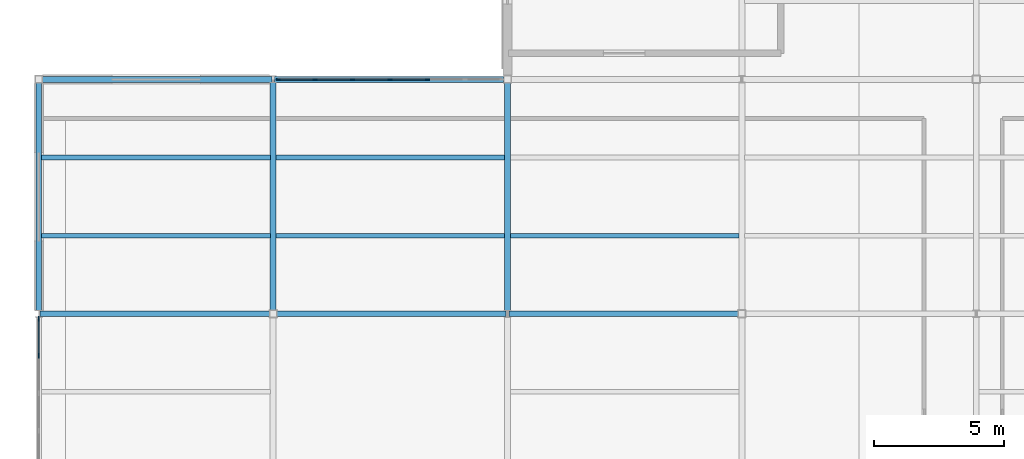
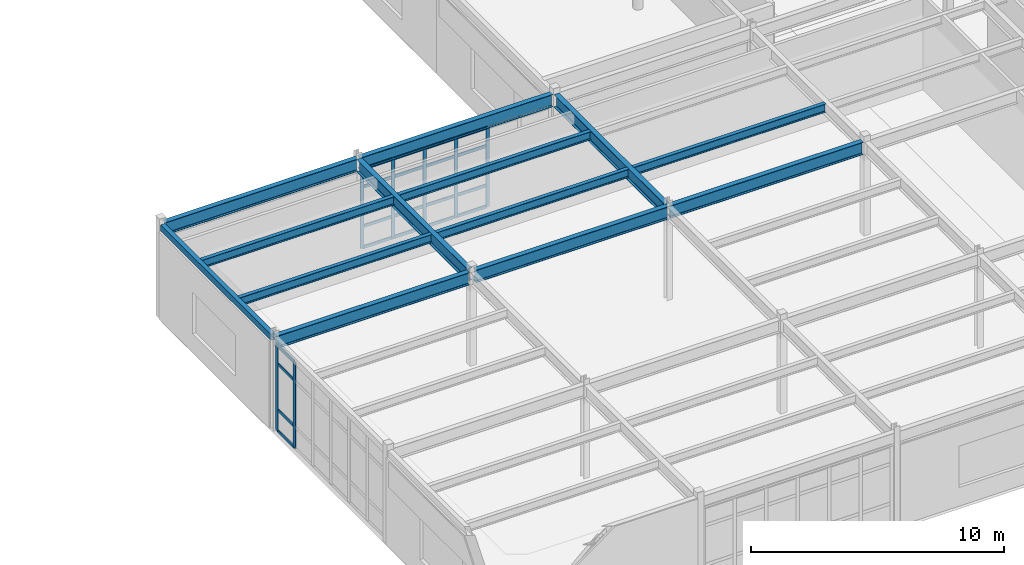
# One storey, part 24 of 84: 27 members, 13 beams, 2 elements without a shape of their own.
"""IFC4 building model written with IfcOpenShell, lengths in metres."""

from ifc_helpers import new_model, si_unit, direction, frame, origin, origin_2d, place, context, subcontext, project, spatial, rectangle, hollow_rectangle, i_section, extrude, material, material_profile, profile_set, type_object, element, aggregate, save


model = new_model("IFC4")

# Units and contexts
model_context = context("Model", 3, precision=1e-05, world=origin(), true_north=direction((0.0, 1.0)))
body_context = subcontext(model_context, "Body", "Model", "MODEL_VIEW")
ifc_project = project(units=[si_unit("LENGTHUNIT", "METRE"), si_unit("AREAUNIT", "SQUARE_METRE"), si_unit("VOLUMEUNIT", "CUBIC_METRE"), si_unit("PLANEANGLEUNIT", "RADIAN"), si_unit("MASSUNIT", "GRAM", prefix="KILO")], contexts=[model_context])

# Site, building, storey
site_placement = place(None, origin())
site = spatial("IfcSite", under=ifc_project, at=site_placement, CompositionType="ELEMENT")
building_placement = place(site_placement, origin())
building = spatial("IfcBuilding", under=site, at=building_placement, Name="Glasvene Arena", CompositionType="ELEMENT")
storey_placement = place(building_placement, frame((0.0, 0.0, 10.199951171875)))
storey = spatial("IfcBuildingStorey", under=building, at=storey_placement, Name="L02", CompositionType="ELEMENT", Elevation=10.199951171875)

# Beams
ifc_material_1 = material(Name="Steel S355J2", Category="steel")
ifc_material_profile_1 = material_profile(ifc_material_1, i_section(OverallWidth=0.228271484375, OverallDepth=0.607666015625, WebThickness=0.010986328125, FlangeThickness=0.017333984375, FilletRadius=0.0126953125, at=origin_2d()), Name="UKB 610x229x113")
ifc_profile_set_1 = profile_set([ifc_material_profile_1], Name="Steel S355J2")
beam_type_1 = type_object("IfcBeamType", Name="BM-GIRD-610", PredefinedType="BEAM", material=ifc_profile_set_1)
for number, where, z_axis, x_axis, name in (
    (1, (0.050048828125, 18.0, 4.21630859375), (1.0, 0.0, 0.0), (0.0, 1.0, 0.0), "Primary X girder L02-0791"),
    (2, (9.14501953125, 18.0, 4.21630859375), (1.0, 0.0, 0.0), (0.0, 1.0, 0.0), "Primary X girder L02-0792"),
    (3, (18.050048828125, 18.0, 4.21630859375), (1.0, 0.0, 0.0), (0.0, 1.0, 0.0), "Primary X girder L02-0793"),
    (4, (0.14501953125, 27.0, 4.21630859375), (1.0, 0.0, 0.0), (0.0, 1.0, 0.0), "Primary X girder L02-0797"),
    (5, (9.050048828125, 27.0, 4.21630859375), (1.0, 0.0, 0.0), (0.0, 1.0, 0.0), "Primary X girder L02-0798"),
):
    element("IfcBeam", number, at=place(storey_placement, frame(where, z_axis=z_axis, x_axis=x_axis)), inside=storey, type_object=beam_type_1, Name=name, PredefinedType="BEAM", context=body_context, shape_type="SweptSolid", body=[
        extrude(i_section(OverallWidth=0.228271484375, OverallDepth=0.607666015625, WebThickness=0.010986328125, FlangeThickness=0.017333984375, FilletRadius=0.0126953125, at=origin_2d()), origin(), (0.0, 0.0, 1.0), 8.804931640625),
    ])
for number, where, z_axis, x_axis, name in (
    (6, (9.0, 18.14501953125, 4.21630859375), (0.0, 1.0, 0.0), (-1.0, 0.0, 0.0), "Primary Y girder L02-0841"),
    (7, (18.0, 18.125244140625, 4.21630859375), (0.0, 1.0, 0.0), (-1.0, 0.0, 0.0), "Primary Y girder L02-0848"),
):
    element("IfcBeam", number, at=place(storey_placement, frame(where, z_axis=z_axis, x_axis=x_axis)), inside=storey, type_object=beam_type_1, Name=name, PredefinedType="BEAM", context=body_context, shape_type="SweptSolid", body=[
        extrude(i_section(OverallWidth=0.228271484375, OverallDepth=0.607666015625, WebThickness=0.010986328125, FlangeThickness=0.017333984375, FilletRadius=0.0126953125, at=origin_2d()), origin(), (0.0, 0.0, 1.0), 8.729736328125),
    ])
ifc_material_profile_2 = material_profile(ifc_material_1, i_section(OverallWidth=0.177978515625, OverallDepth=0.406494140625, WebThickness=0.0078125, FlangeThickness=0.0126953125, FilletRadius=0.01025390625, at=origin_2d()), Name="UKB 406x178x60")
ifc_profile_set_2 = profile_set([ifc_material_profile_2], Name="Steel S355J2")
beam_type_2 = type_object("IfcBeamType", Name="BM-JOIST-406", PredefinedType="JOIST", material=ifc_profile_set_2)
for number, where, z_axis, x_axis, name in (
    (8, (0.095947265625, 21.0, 4.31689453125), (1.0, 0.0, 0.0), (0.0, 1.0, 0.0), "Composite floor joist L02-0885"),
    (9, (0.095947265625, 24.0, 4.31689453125), (1.0, 0.0, 0.0), (0.0, 1.0, 0.0), "Composite floor joist L02-0886"),
):
    element("IfcBeam", number, at=place(storey_placement, frame(where, z_axis=z_axis, x_axis=x_axis)), inside=storey, type_object=beam_type_2, Name=name, PredefinedType="JOIST", context=body_context, shape_type="SweptSolid", body=[
        extrude(i_section(OverallWidth=0.177978515625, OverallDepth=0.406494140625, WebThickness=0.0078125, FlangeThickness=0.0126953125, FilletRadius=0.01025390625, at=origin_2d()), origin(), (0.0, 0.0, 1.0), 8.7939453125),
    ])
for number, where, z_axis, x_axis, name in (
    (10, (9.110107421875, 21.0, 4.31689453125), (1.0, 0.0, 0.0), (0.0, 1.0, 0.0), "Composite floor joist L02-0895"),
    (11, (9.110107421875, 24.0, 4.31689453125), (1.0, 0.0, 0.0), (0.0, 1.0, 0.0), "Composite floor joist L02-0896"),
    (12, (18.110107421875, 21.0, 4.31689453125), (1.0, 0.0, 0.0), (0.0, 1.0, 0.0), "Composite floor joist L02-0905"),
):
    element("IfcBeam", number, at=place(storey_placement, frame(where, z_axis=z_axis, x_axis=x_axis)), inside=storey, type_object=beam_type_2, Name=name, PredefinedType="JOIST", context=body_context, shape_type="SweptSolid", body=[
        extrude(i_section(OverallWidth=0.177978515625, OverallDepth=0.406494140625, WebThickness=0.0078125, FlangeThickness=0.0126953125, FilletRadius=0.01025390625, at=origin_2d()), origin(), (0.0, 0.0, 1.0), 8.77978515625),
    ])
ifc_material_profile_3 = material_profile(ifc_material_1, hollow_rectangle(XDim=0.199951171875, YDim=0.300048828125, WallThickness=0.012451171875, at=origin_2d()), Name="RHS 300x200x12.5")
ifc_profile_set_3 = profile_set([ifc_material_profile_3], Name="Steel S355J2")
beam_type_3 = type_object("IfcBeamType", Name="BM-SPAND-300", PredefinedType="SPANDREL", material=ifc_profile_set_3)
beam_placement = place(storey_placement, frame((0.0, 18.125244140625, 4.3701171875), z_axis=(0.0, 1.0, 0.0), x_axis=(-1.0, 0.0, 0.0)))
element("IfcBeam", 13, at=beam_placement, inside=storey, type_object=beam_type_3, Name="Primary Y girder L02-0831", PredefinedType="SPANDREL", context=body_context, shape_type="SweptSolid", body=[
    extrude(hollow_rectangle(XDim=0.199951171875, YDim=0.300048828125, WallThickness=0.012451171875, at=origin_2d()), origin(), (0.0, 0.0, 1.0), 8.729736328125),
])

# Curtain wall, members
ifc_material_2 = material(Name="Low-emissivity laminated double glazing", Category="glass")
curtain_wall_type_1 = type_object("IfcCurtainWallType", Name="CW-FAC-L02-864x385", PredefinedType="USERDEFINED", material=ifc_material_2)
curtain_wall_1_placement = place(storey_placement, frame((9.170166015625, 27.0, 0.0)))
curtain_wall_1 = element("IfcCurtainWall", 14, at=curtain_wall_1_placement, inside=storey, type_object=curtain_wall_type_1, Name="Unitised curtain wall CW-F-L02-150-135-270-79", ObjectType="CURTAIN WALL", PredefinedType="USERDEFINED")
ifc_material_3 = material(Name="Anodised architectural aluminium", Category="aluminium")
ifc_material_profile_4 = material_profile(ifc_material_3, rectangle(XDim=0.050048828125, YDim=0.159912109375, at=origin_2d()), Name="ALU MULLION 50x160")
ifc_profile_set_4 = profile_set([ifc_material_profile_4], Name="Anodised architectural aluminium")
member_type_1 = type_object("IfcMemberType", Name="CW-MUL-150", PredefinedType="MULLION", material=ifc_profile_set_4)
member_1_placement = place(storey_placement, frame((9.1953125, 27.0, 0.06005859375), z_axis=(0.0, 0.0, 1.0), x_axis=(0.0, 1.0, 0.0)))
member_1 = element("IfcMember", 15, at=member_1_placement, type_object=member_type_1, Name="CW-030 mullion 1", PredefinedType="MULLION", context=body_context, shape_type="SweptSolid", body=[
    extrude(rectangle(XDim=0.050048828125, YDim=0.159912109375, at=origin_2d()), origin(), (0.0, 0.0, 1.0), 3.846923828125),
])
member_2_placement = place(storey_placement, frame((10.60986328125, 27.0, 0.06005859375), z_axis=(0.0, 0.0, 1.0), x_axis=(0.0, 1.0, 0.0)))
member_2 = element("IfcMember", 16, at=member_2_placement, type_object=member_type_1, Name="CW-030 mullion 2", PredefinedType="MULLION", context=body_context, shape_type="SweptSolid", body=[
    extrude(rectangle(XDim=0.050048828125, YDim=0.159912109375, at=origin_2d()), origin(), (0.0, 0.0, 1.0), 3.846923828125),
])
member_3_placement = place(storey_placement, frame((12.049560546875, 27.0, 0.06005859375), z_axis=(0.0, 0.0, 1.0), x_axis=(0.0, 1.0, 0.0)))
member_3 = element("IfcMember", 17, at=member_3_placement, type_object=member_type_1, Name="CW-030 mullion 3", PredefinedType="MULLION", context=body_context, shape_type="SweptSolid", body=[
    extrude(rectangle(XDim=0.050048828125, YDim=0.159912109375, at=origin_2d()), origin(), (0.0, 0.0, 1.0), 3.846923828125),
])
member_4_placement = place(storey_placement, frame((13.489013671875, 27.0, 0.06005859375), z_axis=(0.0, 0.0, 1.0), x_axis=(0.0, 1.0, 0.0)))
member_4 = element("IfcMember", 18, at=member_4_placement, type_object=member_type_1, Name="CW-030 mullion 4", PredefinedType="MULLION", context=body_context, shape_type="SweptSolid", body=[
    extrude(rectangle(XDim=0.050048828125, YDim=0.159912109375, at=origin_2d()), origin(), (0.0, 0.0, 1.0), 3.846923828125),
])
member_5_placement = place(storey_placement, frame((14.9287109375, 27.0, 0.06005859375), z_axis=(0.0, 0.0, 1.0), x_axis=(0.0, 1.0, 0.0)))
member_5 = element("IfcMember", 19, at=member_5_placement, type_object=member_type_1, Name="CW-030 mullion 5", PredefinedType="MULLION", context=body_context, shape_type="SweptSolid", body=[
    extrude(rectangle(XDim=0.050048828125, YDim=0.159912109375, at=origin_2d()), origin(), (0.0, 0.0, 1.0), 3.846923828125),
])

curtain_wall_type_2 = type_object("IfcCurtainWallType", Name="CW-FAC-L02-864x416", PredefinedType="USERDEFINED", material=ifc_material_2)
curtain_wall_2_placement = place(storey_placement, frame((0.0, 9.19189453125, 0.0)))
curtain_wall_2 = element("IfcCurtainWall", 20, at=curtain_wall_2_placement, inside=storey, type_object=curtain_wall_type_2, Name="Unitised curtain wall CW-F-L02-180-0-135-76", ObjectType="CURTAIN WALL", PredefinedType="USERDEFINED")
ifc_material_profile_5 = material_profile(ifc_material_3, rectangle(XDim=0.050048828125, YDim=0.199951171875, at=origin_2d()), Name="ALU MULLION 50x200")
ifc_profile_set_5 = profile_set([ifc_material_profile_5], Name="Anodised architectural aluminium")
member_type_2 = type_object("IfcMemberType", Name="CW-MUL-180", PredefinedType="MULLION", material=ifc_profile_set_5)
member_6_placement = place(storey_placement, frame((0.0, 16.388671875, 0.06005859375), z_axis=(0.0, 0.0, 1.0), x_axis=(-1.0, 0.0, 0.0)))
member_6 = element("IfcMember", 21, at=member_6_placement, type_object=member_type_2, Name="CW-029 mullion 6", PredefinedType="MULLION", context=body_context, shape_type="SweptSolid", body=[
    extrude(rectangle(XDim=0.050048828125, YDim=0.199951171875, at=origin_2d()), origin(), (0.0, 0.0, 1.0), 4.155029296875),
])
member_7_placement = place(storey_placement, frame((0.0, 17.802978515625, 0.06005859375), z_axis=(0.0, 0.0, 1.0), x_axis=(-1.0, 0.0, 0.0)))
member_7 = element("IfcMember", 22, at=member_7_placement, type_object=member_type_2, Name="CW-029 mullion 7", PredefinedType="MULLION", context=body_context, shape_type="SweptSolid", body=[
    extrude(rectangle(XDim=0.050048828125, YDim=0.199951171875, at=origin_2d()), origin(), (0.0, 0.0, 1.0), 4.155029296875),
])
ifc_material_profile_6 = material_profile(ifc_material_3, rectangle(XDim=0.050048828125, YDim=0.14990234375, at=origin_2d()), Name="ALU TRANSOM 50x150")
ifc_profile_set_6 = profile_set([ifc_material_profile_6], Name="Anodised architectural aluminium")
member_type_3 = type_object("IfcMemberType", Name="CW-TRN-150", PredefinedType="USERDEFINED", material=ifc_profile_set_6)
member_8_placement = place(storey_placement, frame((0.0, 16.41357421875, 0.0849609375), z_axis=(0.0, 1.0, 0.0), x_axis=(-1.0, 0.0, 0.0)))
member_8 = element("IfcMember", 23, at=member_8_placement, type_object=member_type_3, Name="CW-029 transom 6.1", ObjectType="TRANSOM", PredefinedType="USERDEFINED", context=body_context, shape_type="SweptSolid", body=[
    extrude(rectangle(XDim=0.050048828125, YDim=0.14990234375, at=origin_2d()), origin(), (0.0, 0.0, 1.0), 1.3642578125),
])
member_9_placement = place(storey_placement, frame((0.0, 16.41357421875, 1.10009765625), z_axis=(0.0, 1.0, 0.0), x_axis=(-1.0, 0.0, 0.0)))
member_9 = element("IfcMember", 24, at=member_9_placement, type_object=member_type_3, Name="CW-029 transom 6.2", ObjectType="TRANSOM", PredefinedType="USERDEFINED", context=body_context, shape_type="SweptSolid", body=[
    extrude(rectangle(XDim=0.050048828125, YDim=0.14990234375, at=origin_2d()), origin(), (0.0, 0.0, 1.0), 1.3642578125),
])
member_10_placement = place(storey_placement, frame((0.0, 16.41357421875, 3.31494140625), z_axis=(0.0, 1.0, 0.0), x_axis=(-1.0, 0.0, 0.0)))
member_10 = element("IfcMember", 25, at=member_10_placement, type_object=member_type_3, Name="CW-029 transom 6.3", ObjectType="TRANSOM", PredefinedType="USERDEFINED", context=body_context, shape_type="SweptSolid", body=[
    extrude(rectangle(XDim=0.050048828125, YDim=0.14990234375, at=origin_2d()), origin(), (0.0, 0.0, 1.0), 1.3642578125),
])
member_11_placement = place(storey_placement, frame((0.0, 16.41357421875, 4.18994140625), z_axis=(0.0, 1.0, 0.0), x_axis=(-1.0, 0.0, 0.0)))
member_11 = element("IfcMember", 26, at=member_11_placement, type_object=member_type_3, Name="CW-029 transom 6.4", ObjectType="TRANSOM", PredefinedType="USERDEFINED", context=body_context, shape_type="SweptSolid", body=[
    extrude(rectangle(XDim=0.050048828125, YDim=0.14990234375, at=origin_2d()), origin(), (0.0, 0.0, 1.0), 1.3642578125),
])
aggregate(curtain_wall_2, [member_6, member_7, member_8, member_9, member_10, member_11])

# Member
member_12_placement = place(storey_placement, frame((9.22021484375, 27.0, 0.0849609375), z_axis=(1.0, 0.0, 0.0), x_axis=(0.0, 1.0, 0.0)))
member_12 = element("IfcMember", 27, at=member_12_placement, type_object=member_type_3, Name="CW-030 transom 1.1", ObjectType="TRANSOM", PredefinedType="USERDEFINED", context=body_context, shape_type="SweptSolid", body=[
    extrude(rectangle(XDim=0.050048828125, YDim=0.14990234375, at=origin_2d()), origin(), (0.0, 0.0, 1.0), 1.364501953125),
])

member_13_placement = place(storey_placement, frame((9.22021484375, 27.0, 1.10009765625), z_axis=(1.0, 0.0, 0.0), x_axis=(0.0, 1.0, 0.0)))
member_13 = element("IfcMember", 28, at=member_13_placement, type_object=member_type_3, Name="CW-030 transom 1.2", ObjectType="TRANSOM", PredefinedType="USERDEFINED", context=body_context, shape_type="SweptSolid", body=[
    extrude(rectangle(XDim=0.050048828125, YDim=0.14990234375, at=origin_2d()), origin(), (0.0, 0.0, 1.0), 1.364501953125),
])

member_14_placement = place(storey_placement, frame((9.22021484375, 27.0, 3.007080078125), z_axis=(1.0, 0.0, 0.0), x_axis=(0.0, 1.0, 0.0)))
member_14 = element("IfcMember", 29, at=member_14_placement, type_object=member_type_3, Name="CW-030 transom 1.3", ObjectType="TRANSOM", PredefinedType="USERDEFINED", context=body_context, shape_type="SweptSolid", body=[
    extrude(rectangle(XDim=0.050048828125, YDim=0.14990234375, at=origin_2d()), origin(), (0.0, 0.0, 1.0), 1.364501953125),
])

member_15_placement = place(storey_placement, frame((9.22021484375, 27.0, 3.882080078125), z_axis=(1.0, 0.0, 0.0), x_axis=(0.0, 1.0, 0.0)))
member_15 = element("IfcMember", 30, at=member_15_placement, type_object=member_type_3, Name="CW-030 transom 1.4", ObjectType="TRANSOM", PredefinedType="USERDEFINED", context=body_context, shape_type="SweptSolid", body=[
    extrude(rectangle(XDim=0.050048828125, YDim=0.14990234375, at=origin_2d()), origin(), (0.0, 0.0, 1.0), 1.364501953125),
])

member_16_placement = place(storey_placement, frame((10.634765625, 27.0, 0.0849609375), z_axis=(1.0, 0.0, 0.0), x_axis=(0.0, 1.0, 0.0)))
member_16 = element("IfcMember", 31, at=member_16_placement, type_object=member_type_3, Name="CW-030 transom 2.1", ObjectType="TRANSOM", PredefinedType="USERDEFINED", context=body_context, shape_type="SweptSolid", body=[
    extrude(rectangle(XDim=0.050048828125, YDim=0.14990234375, at=origin_2d()), origin(), (0.0, 0.0, 1.0), 1.3896484375),
])

member_17_placement = place(storey_placement, frame((10.634765625, 27.0, 1.10009765625), z_axis=(1.0, 0.0, 0.0), x_axis=(0.0, 1.0, 0.0)))
member_17 = element("IfcMember", 32, at=member_17_placement, type_object=member_type_3, Name="CW-030 transom 2.2", ObjectType="TRANSOM", PredefinedType="USERDEFINED", context=body_context, shape_type="SweptSolid", body=[
    extrude(rectangle(XDim=0.050048828125, YDim=0.14990234375, at=origin_2d()), origin(), (0.0, 0.0, 1.0), 1.3896484375),
])

member_18_placement = place(storey_placement, frame((10.634765625, 27.0, 3.007080078125), z_axis=(1.0, 0.0, 0.0), x_axis=(0.0, 1.0, 0.0)))
member_18 = element("IfcMember", 33, at=member_18_placement, type_object=member_type_3, Name="CW-030 transom 2.3", ObjectType="TRANSOM", PredefinedType="USERDEFINED", context=body_context, shape_type="SweptSolid", body=[
    extrude(rectangle(XDim=0.050048828125, YDim=0.14990234375, at=origin_2d()), origin(), (0.0, 0.0, 1.0), 1.3896484375),
])

member_19_placement = place(storey_placement, frame((10.634765625, 27.0, 3.882080078125), z_axis=(1.0, 0.0, 0.0), x_axis=(0.0, 1.0, 0.0)))
member_19 = element("IfcMember", 34, at=member_19_placement, type_object=member_type_3, Name="CW-030 transom 2.4", ObjectType="TRANSOM", PredefinedType="USERDEFINED", context=body_context, shape_type="SweptSolid", body=[
    extrude(rectangle(XDim=0.050048828125, YDim=0.14990234375, at=origin_2d()), origin(), (0.0, 0.0, 1.0), 1.3896484375),
])

member_20_placement = place(storey_placement, frame((12.074462890625, 27.0, 0.0849609375), z_axis=(1.0, 0.0, 0.0), x_axis=(0.0, 1.0, 0.0)))
member_20 = element("IfcMember", 35, at=member_20_placement, type_object=member_type_3, Name="CW-030 transom 3.1", ObjectType="TRANSOM", PredefinedType="USERDEFINED", context=body_context, shape_type="SweptSolid", body=[
    extrude(rectangle(XDim=0.050048828125, YDim=0.14990234375, at=origin_2d()), origin(), (0.0, 0.0, 1.0), 1.3896484375),
])

member_21_placement = place(storey_placement, frame((12.074462890625, 27.0, 1.10009765625), z_axis=(1.0, 0.0, 0.0), x_axis=(0.0, 1.0, 0.0)))
member_21 = element("IfcMember", 36, at=member_21_placement, type_object=member_type_3, Name="CW-030 transom 3.2", ObjectType="TRANSOM", PredefinedType="USERDEFINED", context=body_context, shape_type="SweptSolid", body=[
    extrude(rectangle(XDim=0.050048828125, YDim=0.14990234375, at=origin_2d()), origin(), (0.0, 0.0, 1.0), 1.3896484375),
])

member_22_placement = place(storey_placement, frame((12.074462890625, 27.0, 3.007080078125), z_axis=(1.0, 0.0, 0.0), x_axis=(0.0, 1.0, 0.0)))
member_22 = element("IfcMember", 37, at=member_22_placement, type_object=member_type_3, Name="CW-030 transom 3.3", ObjectType="TRANSOM", PredefinedType="USERDEFINED", context=body_context, shape_type="SweptSolid", body=[
    extrude(rectangle(XDim=0.050048828125, YDim=0.14990234375, at=origin_2d()), origin(), (0.0, 0.0, 1.0), 1.3896484375),
])

member_23_placement = place(storey_placement, frame((12.074462890625, 27.0, 3.882080078125), z_axis=(1.0, 0.0, 0.0), x_axis=(0.0, 1.0, 0.0)))
member_23 = element("IfcMember", 38, at=member_23_placement, type_object=member_type_3, Name="CW-030 transom 3.4", ObjectType="TRANSOM", PredefinedType="USERDEFINED", context=body_context, shape_type="SweptSolid", body=[
    extrude(rectangle(XDim=0.050048828125, YDim=0.14990234375, at=origin_2d()), origin(), (0.0, 0.0, 1.0), 1.3896484375),
])

member_24_placement = place(storey_placement, frame((13.51416015625, 27.0, 0.0849609375), z_axis=(1.0, 0.0, 0.0), x_axis=(0.0, 1.0, 0.0)))
member_24 = element("IfcMember", 39, at=member_24_placement, type_object=member_type_3, Name="CW-030 transom 4.1", ObjectType="TRANSOM", PredefinedType="USERDEFINED", context=body_context, shape_type="SweptSolid", body=[
    extrude(rectangle(XDim=0.050048828125, YDim=0.14990234375, at=origin_2d()), origin(), (0.0, 0.0, 1.0), 1.3896484375),
])

member_25_placement = place(storey_placement, frame((13.51416015625, 27.0, 1.10009765625), z_axis=(1.0, 0.0, 0.0), x_axis=(0.0, 1.0, 0.0)))
member_25 = element("IfcMember", 40, at=member_25_placement, type_object=member_type_3, Name="CW-030 transom 4.2", ObjectType="TRANSOM", PredefinedType="USERDEFINED", context=body_context, shape_type="SweptSolid", body=[
    extrude(rectangle(XDim=0.050048828125, YDim=0.14990234375, at=origin_2d()), origin(), (0.0, 0.0, 1.0), 1.3896484375),
])

member_26_placement = place(storey_placement, frame((13.51416015625, 27.0, 3.007080078125), z_axis=(1.0, 0.0, 0.0), x_axis=(0.0, 1.0, 0.0)))
member_26 = element("IfcMember", 41, at=member_26_placement, type_object=member_type_3, Name="CW-030 transom 4.3", ObjectType="TRANSOM", PredefinedType="USERDEFINED", context=body_context, shape_type="SweptSolid", body=[
    extrude(rectangle(XDim=0.050048828125, YDim=0.14990234375, at=origin_2d()), origin(), (0.0, 0.0, 1.0), 1.3896484375),
])

member_27_placement = place(storey_placement, frame((13.51416015625, 27.0, 3.882080078125), z_axis=(1.0, 0.0, 0.0), x_axis=(0.0, 1.0, 0.0)))
member_27 = element("IfcMember", 42, at=member_27_placement, type_object=member_type_3, Name="CW-030 transom 4.4", ObjectType="TRANSOM", PredefinedType="USERDEFINED", context=body_context, shape_type="SweptSolid", body=[
    extrude(rectangle(XDim=0.050048828125, YDim=0.14990234375, at=origin_2d()), origin(), (0.0, 0.0, 1.0), 1.3896484375),
])

aggregate(curtain_wall_1, [member_1, member_2, member_3, member_4, member_5, member_12, member_13, member_14, member_15, member_16, member_17, member_18, member_19, member_20, member_21, member_22, member_23, member_24, member_25, member_26, member_27])

save(model, "model.ifc")
